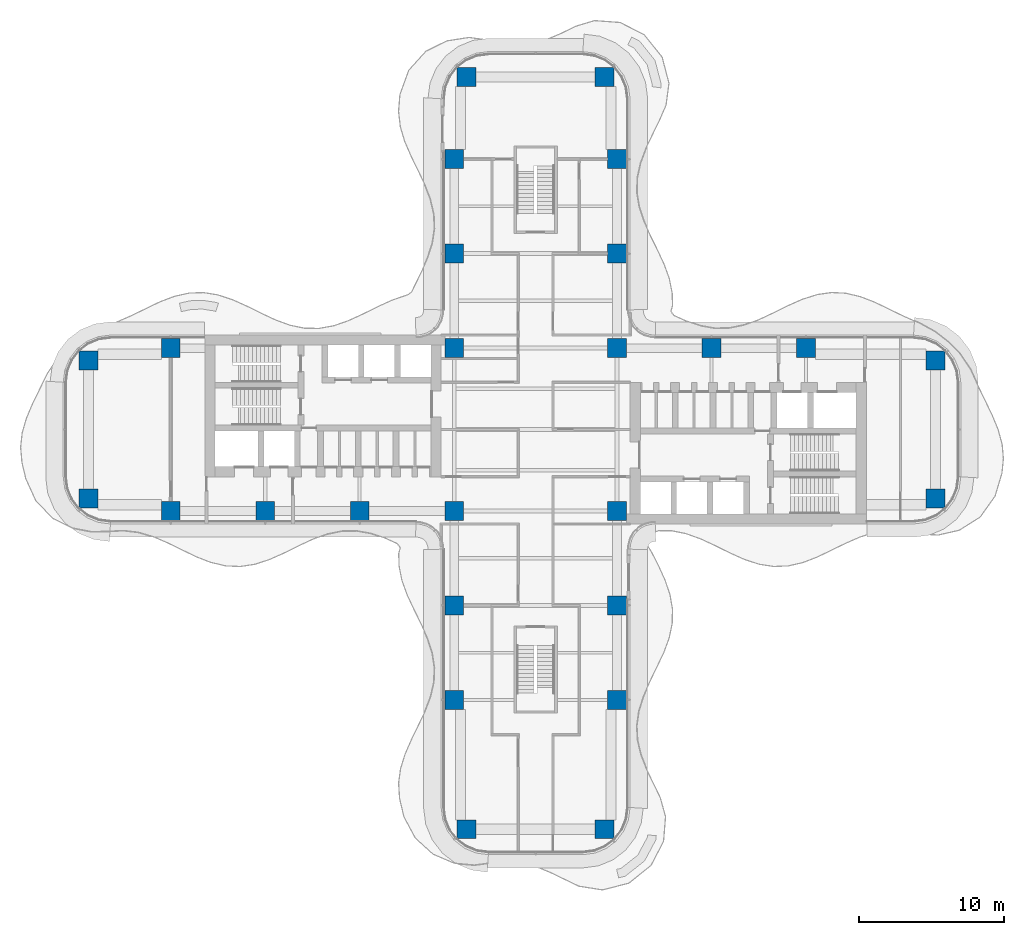
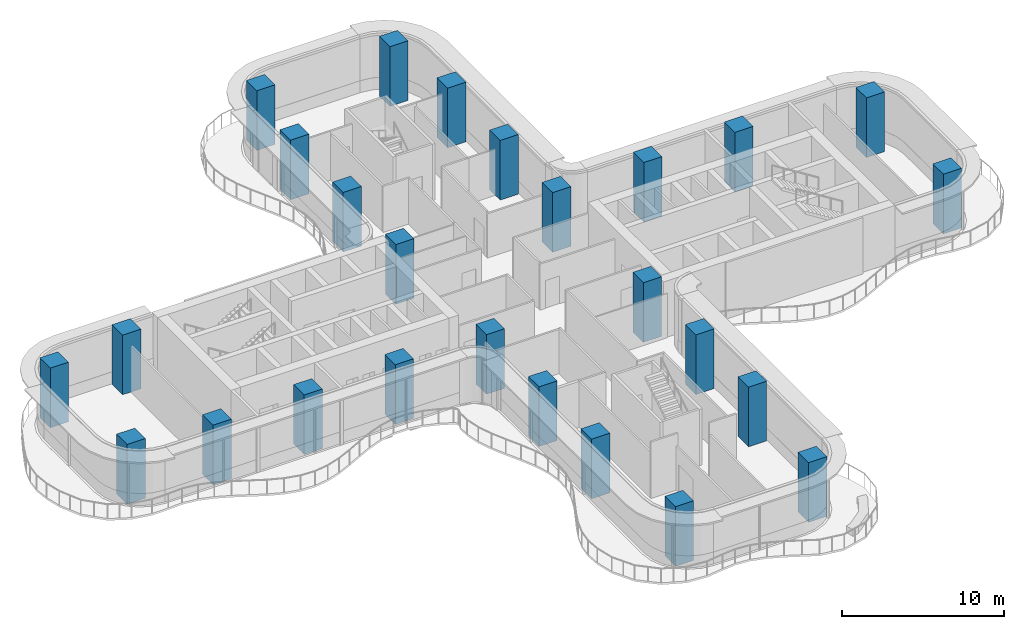
# One storey, part 1 of 23: 26 columns.
"""IFC4 building model written with IfcOpenShell, lengths in metres."""

from ifc_helpers import new_model, si_unit, direction, frame, origin, origin_2d, place, context, subcontext, project, spatial, rectangle, extrude, source, transform, mapped, material, material_profile, profile_set, type_object, element, save


model = new_model("IFC4")

# Units and contexts
model_context = context("Model", 3, precision=1e-05, world=origin(), true_north=direction((0.0, 1.0)))
body_context = subcontext(model_context, "Body", "Model", "MODEL_VIEW")
ifc_project = project(units=[si_unit("LENGTHUNIT", "METRE"), si_unit("AREAUNIT", "SQUARE_METRE"), si_unit("VOLUMEUNIT", "CUBIC_METRE"), si_unit("PLANEANGLEUNIT", "RADIAN"), si_unit("MASSUNIT", "GRAM", prefix="KILO")], contexts=[model_context])

# Site, building, storey
site_placement = place(None, origin())
site = spatial("IfcSite", under=ifc_project, at=site_placement, CompositionType="ELEMENT")
building_placement = place(site_placement, origin())
building = spatial("IfcBuilding", under=site, at=building_placement, Name="Trellis Farm Tower", CompositionType="ELEMENT")
storey_placement = place(building_placement, frame((0.0, 0.0, 120.0)))
storey = spatial("IfcBuildingStorey", under=building, at=storey_placement, Name="L25", CompositionType="ELEMENT", Elevation=120.0)

# Columns
ifc_material = material(Name="Concrete C80/95", Category="concrete")
ifc_material_profile = material_profile(ifc_material, rectangle(XDim=1.300048828125, YDim=1.300048828125, at=origin_2d()), Name="RC column 1300x1300 C80/95")
ifc_profile_set = profile_set([ifc_material_profile], Name="Concrete C80/95")
column_type = type_object("IfcColumnType", Name="RC column 1300x1300 C80/95", PredefinedType="COLUMN", material=ifc_profile_set)
shared_shape = source(origin(), body_context, "Body", "SweptSolid", [
    extrude(rectangle(XDim=1.300048828125, YDim=1.300048828125, at=origin_2d()), origin(), (0.0, 0.0, 1.0), 4.5),
])
for number, where, z_axis, x_axis, name in (
    (1, (12.10009765625, 5.60009765625, 0.0), (0.0, 0.0, 1.0), (1.0, 0.0, 0.0), "Column"),
    (2, (18.60009765625, 5.60009765625, 0.0), (0.0, 0.0, 1.0), (1.0, 0.0, 0.0), "Column"),
    (3, (27.5, 4.75, 0.0), (0.0, 0.0, 1.0), (1.0, 0.0, 0.0), "Column"),
    (4, (27.5, -4.75, 0.0), (0.0, 0.0, 1.0), (1.0, 0.0, 0.0), "Column"),
    (5, (-5.60009765625, 12.10009765625, 0.0), (0.0, 0.0, 1.0), (1.0, 0.0, 0.0), "Column"),
    (6, (-5.60009765625, 18.60009765625, 0.0), (0.0, 0.0, 1.0), (1.0, 0.0, 0.0), "Column"),
    (7, (-4.75, 24.25, 0.0), (0.0, 0.0, 1.0), (1.0, 0.0, 0.0), "Column"),
    (8, (5.60009765625, 12.10009765625, 0.0), (0.0, 0.0, 1.0), (1.0, 0.0, 0.0), "Column"),
    (9, (5.60009765625, 18.60009765625, 0.0), (0.0, 0.0, 1.0), (1.0, 0.0, 0.0), "Column"),
    (10, (4.75, 24.25, 0.0), (0.0, 0.0, 1.0), (1.0, 0.0, 0.0), "Column"),
    (11, (5.60009765625, 5.60009765625, 0.0), (0.0, 0.0, 1.0), (1.0, 0.0, 0.0), "Column"),
    (12, (-5.60009765625, 5.60009765625, 0.0), (0.0, 0.0, 1.0), (1.0, 0.0, 0.0), "Column"),
    (13, (5.60009765625, -5.60009765625, 0.0), (0.0, 0.0, 1.0), (1.0, 0.0, 0.0), "Column"),
    (14, (-5.60009765625, -5.60009765625, 0.0), (0.0, 0.0, 1.0), (1.0, 0.0, 0.0), "Column"),
    (15, (5.60009765625, -12.10009765625, 0.0), (0.0, 0.0, 1.0), (1.0, 0.0, 0.0), "Column"),
    (16, (5.60009765625, -18.60009765625, 0.0), (0.0, 0.0, 1.0), (1.0, 0.0, 0.0), "Column"),
    (17, (4.75, -27.5, 0.0), (0.0, 0.0, 1.0), (1.0, 0.0, 0.0), "Column"),
    (18, (-5.60009765625, -12.10009765625, 0.0), (0.0, 0.0, 1.0), (1.0, 0.0, 0.0), "Column"),
    (19, (-5.60009765625, -18.60009765625, 0.0), (0.0, 0.0, 1.0), (1.0, 0.0, 0.0), "Column"),
    (20, (-4.75, -27.5, 0.0), (0.0, 0.0, 1.0), (1.0, 0.0, 0.0), "Column"),
    (21, (-12.10009765625, -5.60009765625, 0.0), (0.0, 0.0, 1.0), (1.0, 0.0, 0.0), "Column"),
    (22, (-18.60009765625, -5.60009765625, 0.0), (0.0, 0.0, 1.0), (1.0, 0.0, 0.0), "Column"),
    (23, (-25.10009765625, -5.60009765625, 0.0), (0.0, 0.0, 1.0), (1.0, 0.0, 0.0), "Column"),
    (24, (-30.75, -4.75, 0.0), (0.0, 0.0, 1.0), (1.0, 0.0, 0.0), "Column"),
    (25, (-25.10009765625, 5.60009765625, 0.0), (0.0, 0.0, 1.0), (1.0, 0.0, 0.0), "Column"),
    (26, (-30.75, 4.75, 0.0), (0.0, 0.0, 1.0), (1.0, 0.0, 0.0), "Column"),
):
    element("IfcColumn", number, at=place(storey_placement, frame(where, z_axis=z_axis, x_axis=x_axis)), inside=storey, type_object=column_type, Name=name, PredefinedType="COLUMN", context=body_context, shape_type="MappedRepresentation", body=[
        mapped(shared_shape, transform((0.0, 0.0, 0.0))),
    ])

save(model, "model.ifc")
